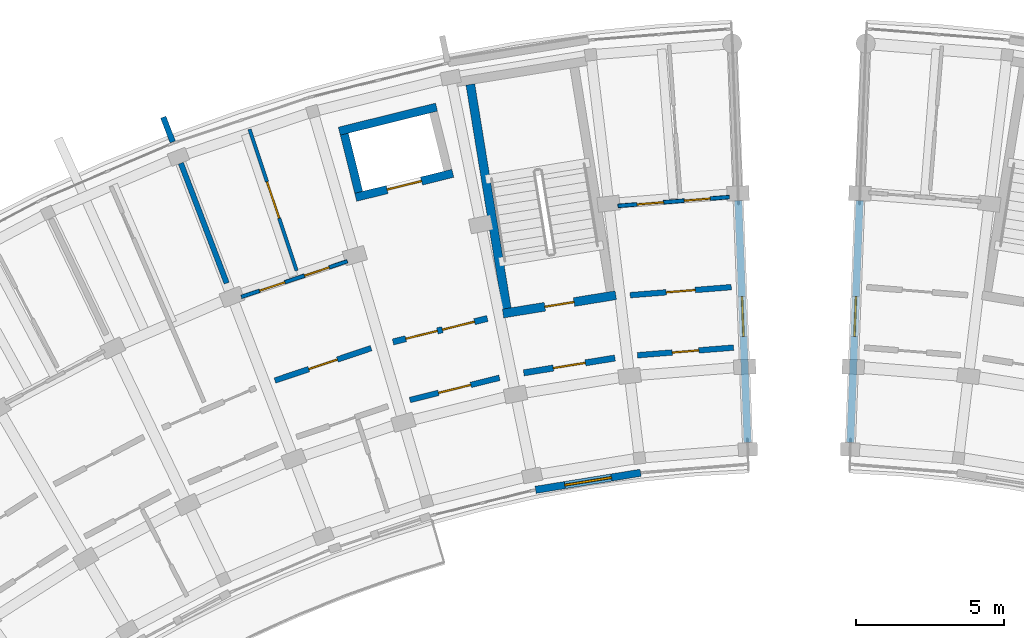
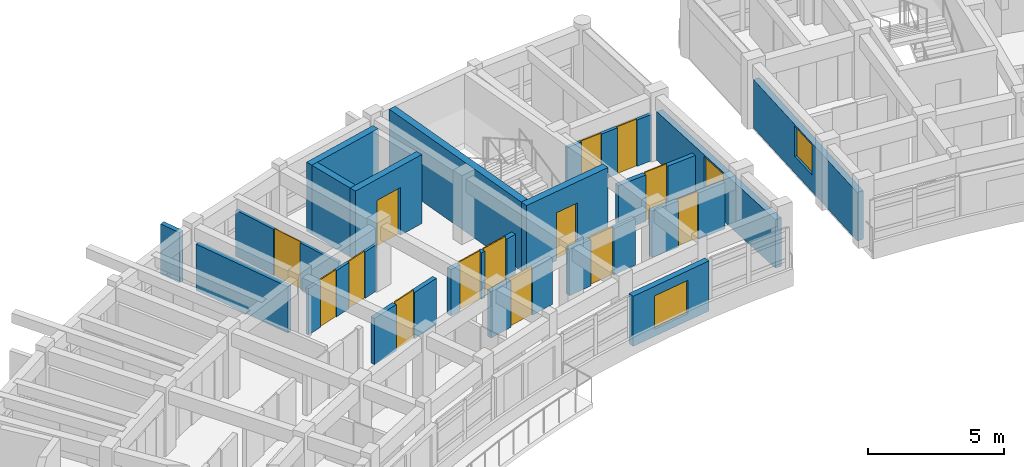
# One storey, part 29 of 54: 19 walls, 14 doors, 3 windows, 17 openings.
"""IFC4 building model written with IfcOpenShell, lengths in metres."""

from ifc_helpers import new_model, si_unit, direction, frame, frame_2d, origin, place, context, subcontext, project, spatial, rectangle, extrude, material, layer, layer_set, type_object, element, fill, save


model = new_model("IFC4")

# Units and contexts
model_context = context("Model", 3, precision=1e-05, world=origin(), true_north=direction((0.0, 1.0)))
body_context = subcontext(model_context, "Body", "Model", "MODEL_VIEW")
ifc_project = project(units=[si_unit("LENGTHUNIT", "METRE"), si_unit("AREAUNIT", "SQUARE_METRE"), si_unit("VOLUMEUNIT", "CUBIC_METRE"), si_unit("PLANEANGLEUNIT", "RADIAN"), si_unit("MASSUNIT", "GRAM", prefix="KILO")], contexts=[model_context])

# Site, building, storey
site_placement = place(None, origin())
site = spatial("IfcSite", under=ifc_project, at=site_placement, CompositionType="ELEMENT")
building_placement = place(site_placement, origin())
building = spatial("IfcBuilding", under=site, at=building_placement, Name="Zimvara Arc Housing Community", CompositionType="ELEMENT")
storey_placement = place(building_placement, frame((0.0, 0.0, 23.60009765625)))
storey = spatial("IfcBuildingStorey", under=building, at=storey_placement, Name="L07", CompositionType="ELEMENT", Elevation=23.60009765625)

# Wall, opening, window
ifc_material_1 = material(Name="Board-Marked Fair-Faced Concrete C35/45", Category="concrete")
ifc_layer_1 = layer(ifc_material_1, 0.2548828125)
ifc_layer_set_1 = layer_set([ifc_layer_1], Name="Board-Marked Fair-Faced Concrete C35/45")
wall_type_1 = type_object("IfcWallType", Name="EWL-CONC-255", PredefinedType="SOLIDWALL", material=ifc_layer_set_1)
wall_1_placement = place(storey_placement, frame((43.2587890625, 89.82666015625, 0.0), z_axis=(0.0, 0.0, 1.0), x_axis=(-0.038407966241, 0.999262141847, 0.0)))
wall_1 = element("IfcWall", 1, at=wall_1_placement, inside=storey, type_object=wall_type_1, Name="ewall:blkA:L07:gN", PredefinedType="SOLIDWALL", context=body_context, shape_type="SweptSolid", body=[
    extrude(rectangle(XDim=8.199951171875, YDim=0.2548828125, at=frame_2d((4.10009765625, 0.0))), origin(), (0.0, 0.0, 1.0), 2.179931640625),
])
opening_1_placement = place(wall_1_placement, frame((3.590087890625, 0.0, 0.75)))
opening_1 = element("IfcOpeningElement", 2, at=opening_1_placement, cuts=wall_1, Name="Opening W12", PredefinedType="OPENING", context=body_context, shape_type="SweptSolid", body=[
    extrude(rectangle(XDim=1.35009765625, YDim=1.35009765625, at=frame_2d((0.675048828125, 0.675048828125))), frame((0.0, 0.137451171875, 0.0), z_axis=(0.0, -1.0, 0.0), x_axis=(1.0, 0.0, 0.0)), (0.0, 0.0, 1.0), 0.27490234375),
])
ifc_material_2 = material(Name="Solar Control Low-E Double Glazing", Category="glass")
window_type_1 = type_object("IfcWindowType", Name="WIN-RES-1350x1350", PartitioningType="DOUBLE_PANEL_VERTICAL", PredefinedType="WINDOW", material=ifc_material_2)
window_1_placement = place(opening_1_placement, origin())
window_1 = element("IfcWindow", 3, at=window_1_placement, inside=storey, type_object=window_type_1, Name="win:blkA:L07:gN:w", OverallHeight=1.35009765625, OverallWidth=1.35009765625, PartitioningType="DOUBLE_PANEL_VERTICAL", PredefinedType="WINDOW", context=body_context, shape_type="SweptSolid", body=[
    extrude(rectangle(XDim=1.35009765625, YDim=1.35009765625, at=frame_2d((0.675048828125, 0.675048828125))), frame((0.0, 0.030029296875, 0.0), z_axis=(0.0, -1.0, 0.0), x_axis=(1.0, 0.0, 0.0)), (0.0, 0.0, 1.0), 0.06005859375),
])
fill(opening_1, window_1)

wall_2_placement = place(storey_placement, frame((46.7412109375, 89.82666015625, 0.0), z_axis=(0.0, 0.0, 1.0), x_axis=(0.038407966241, 0.999262141847, 0.0)))
wall_2 = element("IfcWall", 4, at=wall_2_placement, inside=storey, type_object=wall_type_1, Name="ewall:blkB:L07:g0", PredefinedType="SOLIDWALL", context=body_context, shape_type="SweptSolid", body=[
    extrude(rectangle(XDim=8.199951171875, YDim=0.2548828125, at=frame_2d((4.10009765625, 0.0))), origin(), (0.0, 0.0, 1.0), 2.179931640625),
])
opening_2_placement = place(wall_2_placement, frame((3.590087890625, 0.0, 0.75)))
opening_2 = element("IfcOpeningElement", 5, at=opening_2_placement, cuts=wall_2, Name="Opening W12", PredefinedType="OPENING", context=body_context, shape_type="SweptSolid", body=[
    extrude(rectangle(XDim=1.35009765625, YDim=1.35009765625, at=frame_2d((0.675048828125, 0.675048828125))), frame((0.0, 0.137451171875, 0.0), z_axis=(0.0, -1.0, 0.0), x_axis=(1.0, 0.0, 0.0)), (0.0, 0.0, 1.0), 0.27490234375),
])
window_2_placement = place(opening_2_placement, origin())
window_2 = element("IfcWindow", 6, at=window_2_placement, inside=storey, type_object=window_type_1, Name="win:blkB:L07:g0:w", OverallHeight=1.35009765625, OverallWidth=1.35009765625, PartitioningType="DOUBLE_PANEL_VERTICAL", PredefinedType="WINDOW", context=body_context, shape_type="SweptSolid", body=[
    extrude(rectangle(XDim=1.35009765625, YDim=1.35009765625, at=frame_2d((0.675048828125, 0.675048828125))), frame((0.0, 0.030029296875, 0.0), z_axis=(0.0, -1.0, 0.0), x_axis=(1.0, 0.0, 0.0)), (0.0, 0.0, 1.0), 0.06005859375),
])
fill(opening_2, window_2)

# Wall
ifc_material_3 = material(Name="Board-Marked Fair-Faced Concrete C35/45", Category="concrete")
ifc_layer_2 = layer(ifc_material_3, 0.195068359375)
ifc_layer_set_2 = layer_set([ifc_layer_2], Name="Board-Marked Fair-Faced Concrete C35/45")
wall_type_2 = type_object("IfcWallType", Name="EWL-PARA-195", PredefinedType="PARAPET", material=ifc_layer_set_2)
wall_3_placement = place(storey_placement, frame((23.783203125, 100.0029296875, 0.0), z_axis=(0.0, 0.0, 1.0), x_axis=(-0.356942580168, 0.934126326823, 0.0)))
element("IfcWall", 7, at=wall_3_placement, inside=storey, type_object=wall_type_2, Name="finwall:blkA:L07:out:b6", PredefinedType="PARAPET", context=body_context, shape_type="SweptSolid", body=[
    extrude(rectangle(XDim=0.900146484375, YDim=0.195068359375, at=frame_2d((0.4501953125, 0.0))), origin(), (0.0, 0.0, 1.0), 2.25),
])

# Wall, opening, window
ifc_material_4 = material(Name="Pigmented Fair-Faced Concrete C35/45", Category="concrete")
ifc_layer_3 = layer(ifc_material_4, 0.2451171875)
ifc_layer_set_3 = layer_set([ifc_layer_3], Name="Pigmented Fair-Faced Concrete C35/45")
wall_type_3 = type_object("IfcWallType", Name="EWL-PIGM-245", PredefinedType="SOLIDWALL", material=ifc_layer_set_3)
wall_4_placement = place(storey_placement, frame((36.078125, 88.218017578125, 0.0), z_axis=(0.0, 0.0, 1.0), x_axis=(0.987080874485, 0.160222804952, 0.0)))
wall_4 = element("IfcWall", 8, at=wall_4_placement, inside=storey, type_object=wall_type_3, Name="ewall:blkA:L07:in:b8", PredefinedType="SOLIDWALL", context=body_context, shape_type="SweptSolid", body=[
    extrude(rectangle(XDim=3.603759765625, YDim=0.2451171875, at=frame_2d((1.8017578125, 0.0))), origin(), (0.0, 0.0, 1.0), 2.25),
])
opening_3_placement = place(wall_4_placement, frame((1.001708984375, 0.0, 0.320068359375)))
opening_3 = element("IfcOpeningElement", 9, at=opening_3_placement, cuts=wall_4, Name="Opening W03", PredefinedType="OPENING", context=body_context, shape_type="SweptSolid", body=[
    extrude(rectangle(XDim=1.60009765625, YDim=1.5, at=frame_2d((0.800048828125, 0.75))), frame((0.0, 0.132568359375, 0.0), z_axis=(0.0, -1.0, 0.0), x_axis=(1.0, 0.0, 0.0)), (0.0, 0.0, 1.0), 0.26513671875),
])
ifc_material_5 = material(Name="Solar Control Low-E Double Glazing", Category="glass")
window_type_2 = type_object("IfcWindowType", Name="WIN-RES-1600x1500", PartitioningType="DOUBLE_PANEL_VERTICAL", PredefinedType="WINDOW", material=ifc_material_5)
window_3_placement = place(opening_3_placement, origin())
window_3 = element("IfcWindow", 10, at=window_3_placement, inside=storey, type_object=window_type_2, Name="win:blkA:L07:in:b8", OverallHeight=1.5, OverallWidth=1.60009765625, PartitioningType="DOUBLE_PANEL_VERTICAL", PredefinedType="WINDOW", context=body_context, shape_type="SweptSolid", body=[
    extrude(rectangle(XDim=1.60009765625, YDim=1.5, at=frame_2d((0.800048828125, 0.75))), frame((0.0, 0.030029296875, 0.0), z_axis=(0.0, -1.0, 0.0), x_axis=(1.0, 0.0, 0.0)), (0.0, 0.0, 1.0), 0.06005859375),
])
fill(opening_3, window_3)

# Wall, openings, doors
ifc_material_6 = material(Name="Concrete C35/45", Category="concrete")
ifc_layer_4 = layer(ifc_material_6, 0.2099609375)
ifc_layer_set_4 = layer_set([ifc_layer_4], Name="Concrete C35/45")
wall_type_4 = type_object("IfcWallType", Name="IWL-CCF-210", PredefinedType="SOLIDWALL", material=ifc_layer_set_4)
wall_5_placement = place(storey_placement, frame((31.242919921875, 93.22998046875, 0.0), z_axis=(0.0, 0.0, 1.0), x_axis=(0.970719238682, 0.240216901263, 0.0)))
wall_5 = element("IfcWall", 11, at=wall_5_placement, inside=storey, type_object=wall_type_4, Name="iwall:blkA:L07:ll_div:b7", PredefinedType="SOLIDWALL", context=body_context, shape_type="SweptSolid", body=[
    extrude(rectangle(XDim=3.2958984375, YDim=0.2099609375, at=frame_2d((1.64794921875, 0.0))), origin(), (0.0, 0.0, 1.0), 2.079833984375),
])
opening_4_placement = place(wall_5_placement, frame((0.449951171875, 0.0, 0.0)))
opening_4 = element("IfcOpeningElement", 12, at=opening_4_placement, cuts=wall_5, Name="Opening FD-CCF1", PredefinedType="OPENING", context=body_context, shape_type="SweptSolid", body=[
    extrude(rectangle(XDim=1.10009765625, YDim=2.14990234375, at=frame_2d((0.550048828125, 1.074951171875))), frame((0.0, 0.114990234375, 0.0), z_axis=(0.0, -1.0, 0.0), x_axis=(1.0, 0.0, 0.0)), (0.0, 0.0, 1.0), 0.22998046875),
])
opening_5_placement = place(wall_5_placement, frame((1.72607421875, 0.0, 0.0)))
opening_5 = element("IfcOpeningElement", 13, at=opening_5_placement, cuts=wall_5, Name="Opening D07", PredefinedType="OPENING", context=body_context, shape_type="SweptSolid", body=[
    extrude(rectangle(XDim=1.1201171875, YDim=2.14990234375, at=frame_2d((0.56005859375, 1.074951171875))), frame((0.0, 0.114990234375, 0.0), z_axis=(0.0, -1.0, 0.0), x_axis=(1.0, 0.0, 0.0)), (0.0, 0.0, 1.0), 0.22998046875),
])
ifc_material_7 = material(Name="Mozambican Hardwood", Category="wood")
door_type_1 = type_object("IfcDoorType", Name="IDR-AMN-1120x2150", OperationType="NOTDEFINED", PredefinedType="DOOR", material=ifc_material_7)
door_1_placement = place(opening_5_placement, origin())
door_1 = element("IfcDoor", 14, at=door_1_placement, inside=storey, type_object=door_type_1, Name="idoor:blkA:L07:rs_in:b7", OperationType="SINGLE_SWING_RIGHT", OverallHeight=2.14990234375, OverallWidth=1.1201171875, PredefinedType="DOOR", context=body_context, shape_type="SweptSolid", body=[
    extrude(rectangle(XDim=1.1201171875, YDim=2.14990234375, at=frame_2d((0.56005859375, 1.074951171875))), frame((0.0, 0.02490234375, 0.0), z_axis=(0.0, -1.0, 0.0), x_axis=(1.0, 0.0, 0.0)), (0.0, 0.0, 1.0), 0.050048828125),
])
fill(opening_5, door_1)
ifc_material_8 = material(Name="Anodised Aluminium AW-6063", Category="aluminium")
door_type_2 = type_object("IfcDoorType", Name="IDR-CCF-1100x2150", OperationType="NOTDEFINED", PredefinedType="DOOR", material=ifc_material_8)
door_2_placement = place(opening_4_placement, origin())
door_2 = element("IfcDoor", 15, at=door_2_placement, inside=storey, type_object=door_type_2, Name="idoor:blkA:L07:ll_in:b7", OperationType="SINGLE_SWING_LEFT", OverallHeight=2.14990234375, OverallWidth=1.10009765625, PredefinedType="DOOR", context=body_context, shape_type="SweptSolid", body=[
    extrude(rectangle(XDim=1.10009765625, YDim=2.14990234375, at=frame_2d((0.550048828125, 1.074951171875))), frame((0.0, 0.02490234375, 0.0), z_axis=(0.0, -1.0, 0.0), x_axis=(1.0, 0.0, 0.0)), (0.0, 0.0, 1.0), 0.050048828125),
])
fill(opening_4, door_2)

# Wall, opening, door
wall_6_placement = place(storey_placement, frame((35.675537109375, 92.181396484375, 0.0), z_axis=(0.0, 0.0, 1.0), x_axis=(0.98707079686, 0.160284877599, 0.0)))
wall_6 = element("IfcWall", 16, at=wall_6_placement, inside=storey, type_object=wall_type_4, Name="iwall:blkA:L07:ccf_div:b8", PredefinedType="SOLIDWALL", context=body_context, shape_type="SweptSolid", body=[
    extrude(rectangle(XDim=3.128662109375, YDim=0.2099609375, at=frame_2d((1.564453125, 0.0))), origin(), (0.0, 0.0, 1.0), 2.079833984375),
])
opening_6_placement = place(wall_6_placement, frame((1.014404296875, 0.0, 0.0)))
opening_6 = element("IfcOpeningElement", 17, at=opening_6_placement, cuts=wall_6, Name="Opening FD-CCF1", PredefinedType="OPENING", context=body_context, shape_type="SweptSolid", body=[
    extrude(rectangle(XDim=1.10009765625, YDim=2.14990234375, at=frame_2d((0.550048828125, 1.074951171875))), frame((0.0, 0.114990234375, 0.0), z_axis=(0.0, -1.0, 0.0), x_axis=(1.0, 0.0, 0.0)), (0.0, 0.0, 1.0), 0.22998046875),
])
door_3_placement = place(opening_6_placement, origin())
door_3 = element("IfcDoor", 18, at=door_3_placement, inside=storey, type_object=door_type_2, Name="idoor:blkA:L07:ccf_in:b8", OperationType="SINGLE_SWING_RIGHT", OverallHeight=2.14990234375, OverallWidth=1.10009765625, PredefinedType="DOOR", context=body_context, shape_type="SweptSolid", body=[
    extrude(rectangle(XDim=1.10009765625, YDim=2.14990234375, at=frame_2d((0.550048828125, 1.074951171875))), frame((0.0, 0.02490234375, 0.0), z_axis=(0.0, -1.0, 0.0), x_axis=(1.0, 0.0, 0.0)), (0.0, 0.0, 1.0), 0.050048828125),
])
fill(opening_6, door_3)

ifc_material_9 = material(Name="Concrete C35/45", Category="concrete")
ifc_layer_5 = layer(ifc_material_9, 0.18994140625)
ifc_layer_set_5 = layer_set([ifc_layer_5], Name="Concrete C35/45")
wall_type_5 = type_object("IfcWallType", Name="IWL-CORR-190", PredefinedType="SOLIDWALL", material=ifc_layer_set_5)
wall_7_placement = place(storey_placement, frame((27.24658203125, 91.922607421875, 0.0), z_axis=(0.0, 0.0, 1.0), x_axis=(0.947863007629, 0.318678080151, 0.0)))
wall_7 = element("IfcWall", 19, at=wall_7_placement, inside=storey, type_object=wall_type_5, Name="iwall:blkA:L07:corr_out:b6", PredefinedType="SOLIDWALL", context=body_context, shape_type="SweptSolid", body=[
    extrude(rectangle(XDim=3.43603515625, YDim=0.18994140625, at=frame_2d((1.718017578125, 0.0))), origin(), (0.0, 0.0, 1.0), 2.079833984375),
])
opening_7_placement = place(wall_7_placement, frame((1.2080078125, 0.0, 0.0)))
opening_7 = element("IfcOpeningElement", 20, at=opening_7_placement, cuts=wall_7, Name="Opening FD-FL2", PredefinedType="OPENING", context=body_context, shape_type="SweptSolid", body=[
    extrude(rectangle(XDim=1.02001953125, YDim=2.14990234375, at=frame_2d((0.510009765625, 1.074951171875))), frame((0.0, 0.10498046875, 0.0), z_axis=(0.0, -1.0, 0.0), x_axis=(1.0, 0.0, 0.0)), (0.0, 0.0, 1.0), 0.2099609375),
])
ifc_material_10 = material(Name="Mozambican Hardwood", Category="wood")
door_type_3 = type_object("IfcDoorType", Name="IDR-FLAT-1020x2150", OperationType="NOTDEFINED", PredefinedType="DOOR", material=ifc_material_10)
door_4_placement = place(opening_7_placement, origin())
door_4 = element("IfcDoor", 21, at=door_4_placement, inside=storey, type_object=door_type_3, Name="idoor:blkA:L07:flat:b6", OperationType="SINGLE_SWING_LEFT", OverallHeight=2.14990234375, OverallWidth=1.02001953125, PredefinedType="DOOR", context=body_context, shape_type="SweptSolid", body=[
    extrude(rectangle(XDim=1.02001953125, YDim=2.14990234375, at=frame_2d((0.510009765625, 1.074951171875))), frame((0.0, 0.02490234375, 0.0), z_axis=(0.0, -1.0, 0.0), x_axis=(1.0, 0.0, 0.0)), (0.0, 0.0, 1.0), 0.050048828125),
])
fill(opening_7, door_4)

wall_8_placement = place(storey_placement, frame((31.816162109375, 91.26171875, 0.0), z_axis=(0.0, 0.0, 1.0), x_axis=(0.970727194092, 0.240184751078, 0.0)))
wall_8 = element("IfcWall", 22, at=wall_8_placement, inside=storey, type_object=wall_type_5, Name="iwall:blkA:L07:ra_div:b7", PredefinedType="SOLIDWALL", context=body_context, shape_type="SweptSolid", body=[
    extrude(rectangle(XDim=3.128662109375, YDim=0.18994140625, at=frame_2d((1.564453125, 0.0))), origin(), (0.0, 0.0, 1.0), 2.079833984375),
])
opening_8_placement = place(wall_8_placement, frame((1.00439453125, 0.0, 0.0)))
opening_8 = element("IfcOpeningElement", 23, at=opening_8_placement, cuts=wall_8, Name="Opening D07", PredefinedType="OPENING", context=body_context, shape_type="SweptSolid", body=[
    extrude(rectangle(XDim=1.1201171875, YDim=2.14990234375, at=frame_2d((0.56005859375, 1.074951171875))), frame((0.0, 0.10498046875, 0.0), z_axis=(0.0, -1.0, 0.0), x_axis=(1.0, 0.0, 0.0)), (0.0, 0.0, 1.0), 0.2099609375),
])
door_5_placement = place(opening_8_placement, origin())
door_5 = element("IfcDoor", 24, at=door_5_placement, inside=storey, type_object=door_type_1, Name="idoor:blkA:L07:ra_d:b7", OperationType="SINGLE_SWING_LEFT", OverallHeight=2.14990234375, OverallWidth=1.1201171875, PredefinedType="DOOR", context=body_context, shape_type="SweptSolid", body=[
    extrude(rectangle(XDim=1.1201171875, YDim=2.14990234375, at=frame_2d((0.56005859375, 1.074951171875))), frame((0.0, 0.02490234375, 0.0), z_axis=(0.0, -1.0, 0.0), x_axis=(1.0, 0.0, 0.0)), (0.0, 0.0, 1.0), 0.050048828125),
])
fill(opening_8, door_5)

wall_9_placement = place(storey_placement, frame((39.281494140625, 94.81298828125, 0.0), z_axis=(0.0, 0.0, 1.0), x_axis=(0.996862545573, 0.079152165058, 0.0)))
wall_9 = element("IfcWall", 25, at=wall_9_placement, inside=storey, type_object=wall_type_5, Name="iwall:blkA:L07:corr_out:b9", PredefinedType="SOLIDWALL", context=body_context, shape_type="SweptSolid", body=[
    extrude(rectangle(XDim=3.43603515625, YDim=0.18994140625, at=frame_2d((1.718017578125, 0.0))), origin(), (0.0, 0.0, 1.0), 2.079833984375),
])
opening_9_placement = place(wall_9_placement, frame((1.22802734375, 0.0, 0.0)))
opening_9 = element("IfcOpeningElement", 26, at=opening_9_placement, cuts=wall_9, Name="Opening FD-FL1", PredefinedType="OPENING", context=body_context, shape_type="SweptSolid", body=[
    extrude(rectangle(XDim=0.97998046875, YDim=2.14990234375, at=frame_2d((0.489990234375, 1.074951171875))), frame((0.0, 0.10498046875, 0.0), z_axis=(0.0, -1.0, 0.0), x_axis=(1.0, 0.0, 0.0)), (0.0, 0.0, 1.0), 0.2099609375),
])
ifc_material_11 = material(Name="Mozambican Hardwood", Category="wood")
door_type_4 = type_object("IfcDoorType", Name="IDR-FLAT-0980x2150", OperationType="NOTDEFINED", PredefinedType="DOOR", material=ifc_material_11)
door_6_placement = place(opening_9_placement, origin())
door_6 = element("IfcDoor", 27, at=door_6_placement, inside=storey, type_object=door_type_4, Name="idoor:blkA:L07:flat:b9", OperationType="SINGLE_SWING_LEFT", OverallHeight=2.14990234375, OverallWidth=0.97998046875, PredefinedType="DOOR", context=body_context, shape_type="SweptSolid", body=[
    extrude(rectangle(XDim=0.97998046875, YDim=2.14990234375, at=frame_2d((0.489990234375, 1.074951171875))), frame((0.0, 0.02490234375, 0.0), z_axis=(0.0, -1.0, 0.0), x_axis=(1.0, 0.0, 0.0)), (0.0, 0.0, 1.0), 0.050048828125),
])
fill(opening_9, door_6)

wall_10_placement = place(storey_placement, frame((39.527099609375, 92.77783203125, 0.0), z_axis=(0.0, 0.0, 1.0), x_axis=(0.99686660806, 0.07910098441, 0.0)))
wall_10 = element("IfcWall", 28, at=wall_10_placement, inside=storey, type_object=wall_type_5, Name="iwall:blkA:L07:corr_in:b9", PredefinedType="SOLIDWALL", context=body_context, shape_type="SweptSolid", body=[
    extrude(rectangle(XDim=3.2685546875, YDim=0.18994140625, at=frame_2d((1.63427734375, 0.0))), origin(), (0.0, 0.0, 1.0), 2.079833984375),
])
opening_10_placement = place(wall_10_placement, frame((1.184326171875, 0.0, 0.0)))
opening_10 = element("IfcOpeningElement", 29, at=opening_10_placement, cuts=wall_10, Name="Opening D01", PredefinedType="OPENING", context=body_context, shape_type="SweptSolid", body=[
    extrude(rectangle(XDim=0.89990234375, YDim=2.10009765625, at=frame_2d((0.449951171875, 1.050048828125))), frame((0.0, 0.10498046875, 0.0), z_axis=(0.0, -1.0, 0.0), x_axis=(1.0, 0.0, 0.0)), (0.0, 0.0, 1.0), 0.2099609375),
])
ifc_material_12 = material(Name="Mozambican Hardwood", Category="wood")
door_type_5 = type_object("IfcDoorType", Name="IDR-RM-0900x2100", OperationType="NOTDEFINED", PredefinedType="DOOR", material=ifc_material_12)
door_7_placement = place(opening_10_placement, origin())
door_7 = element("IfcDoor", 30, at=door_7_placement, inside=storey, type_object=door_type_5, Name="idoor:blkA:L07:in_rm:b9", OperationType="SINGLE_SWING_RIGHT", OverallHeight=2.10009765625, OverallWidth=0.89990234375, PredefinedType="DOOR", context=body_context, shape_type="SweptSolid", body=[
    extrude(rectangle(XDim=0.89990234375, YDim=2.10009765625, at=frame_2d((0.449951171875, 1.050048828125))), frame((0.0, 0.02490234375, 0.0), z_axis=(0.0, -1.0, 0.0), x_axis=(1.0, 0.0, 0.0)), (0.0, 0.0, 1.0), 0.050048828125),
])
fill(opening_10, door_7)

# Wall
ifc_material_13 = material(Name="Concrete C35/45", Category="concrete")
ifc_layer_6 = layer(ifc_material_13, 0.18505859375)
ifc_layer_set_6 = layer_set([ifc_layer_6], Name="Concrete C35/45")
wall_type_6 = type_object("IfcWallType", Name="IWL-FLAT-185", PredefinedType="SOLIDWALL", material=ifc_layer_set_6)
wall_11_placement = place(storey_placement, frame((25.611328125, 95.220458984375, 0.0), z_axis=(0.0, 0.0, 1.0), x_axis=(-0.357064016205, 0.934079915388, 0.0)))
element("IfcWall", 31, at=wall_11_placement, inside=storey, type_object=wall_type_6, Name="iwall:blkA:L07:party:b6", PredefinedType="SOLIDWALL", context=body_context, shape_type="SweptSolid", body=[
    extrude(rectangle(XDim=4.35009765625, YDim=0.18505859375, at=frame_2d((2.175048828125, 0.0))), origin(), (0.0, 0.0, 1.0), 2.079833984375),
])

# Wall, openings, doors
ifc_material_14 = material(Name="Painted Acoustic Plasterboard")
ifc_layer_7 = layer(ifc_material_14, 0.1201171875)
ifc_layer_set_7 = layer_set([ifc_layer_7], Name="Painted Acoustic Plasterboard")
wall_type_7 = type_object("IfcWallType", Name="IWL-PART-120", PredefinedType="PARTITIONING", material=ifc_layer_set_7)
wall_12_placement = place(storey_placement, frame((26.110107421875, 94.755615234375, 0.0), z_axis=(0.0, 0.0, 1.0), x_axis=(0.947873924847, 0.318645606584, 0.0)))
wall_12 = element("IfcWall", 32, at=wall_12_placement, inside=storey, type_object=wall_type_7, Name="iwall:blkA:L07:srv:b6", PredefinedType="PARTITIONING", context=body_context, shape_type="SweptSolid", body=[
    extrude(rectangle(XDim=3.784912109375, YDim=0.1201171875, at=frame_2d((1.892578125, 0.0))), origin(), (0.0, 0.0, 1.0), 2.079833984375),
])
opening_11_placement = place(wall_12_placement, frame((0.64990234375, 0.0, 0.0)))
opening_11 = element("IfcOpeningElement", 33, at=opening_11_placement, cuts=wall_12, Name="Opening D01", PredefinedType="OPENING", context=body_context, shape_type="SweptSolid", body=[
    extrude(rectangle(XDim=0.89990234375, YDim=2.10009765625, at=frame_2d((0.449951171875, 1.050048828125))), frame((0.0, 0.070068359375, 0.0), z_axis=(0.0, -1.0, 0.0), x_axis=(1.0, 0.0, 0.0)), (0.0, 0.0, 1.0), 0.14013671875),
])
opening_12_placement = place(wall_12_placement, frame((2.255126953125, 0.0, 0.0)))
opening_12 = element("IfcOpeningElement", 34, at=opening_12_placement, cuts=wall_12, Name="Opening D05", PredefinedType="OPENING", context=body_context, shape_type="SweptSolid", body=[
    extrude(rectangle(XDim=0.8798828125, YDim=2.10009765625, at=frame_2d((0.43994140625, 1.050048828125))), frame((0.0, 0.070068359375, 0.0), z_axis=(0.0, -1.0, 0.0), x_axis=(1.0, 0.0, 0.0)), (0.0, 0.0, 1.0), 0.14013671875),
])
door_8_placement = place(opening_11_placement, origin())
door_8 = element("IfcDoor", 35, at=door_8_placement, inside=storey, type_object=door_type_5, Name="idoor:blkA:L07:kit_liv:b6", OperationType="SINGLE_SWING_RIGHT", OverallHeight=2.10009765625, OverallWidth=0.89990234375, PredefinedType="DOOR", context=body_context, shape_type="SweptSolid", body=[
    extrude(rectangle(XDim=0.89990234375, YDim=2.10009765625, at=frame_2d((0.449951171875, 1.050048828125))), frame((0.0, 0.02490234375, 0.0), z_axis=(0.0, -1.0, 0.0), x_axis=(1.0, 0.0, 0.0)), (0.0, 0.0, 1.0), 0.050048828125),
])
fill(opening_11, door_8)
ifc_material_15 = material(Name="Mozambican Hardwood", Category="wood")
door_type_6 = type_object("IfcDoorType", Name="IDR-WC-0880x2100", OperationType="NOTDEFINED", PredefinedType="DOOR", material=ifc_material_15)
door_9_placement = place(opening_12_placement, origin())
door_9 = element("IfcDoor", 36, at=door_9_placement, inside=storey, type_object=door_type_6, Name="idoor:blkA:L07:bath_d:b6", OperationType="SINGLE_SWING_LEFT", OverallHeight=2.10009765625, OverallWidth=0.8798828125, PredefinedType="DOOR", context=body_context, shape_type="SweptSolid", body=[
    extrude(rectangle(XDim=0.8798828125, YDim=2.10009765625, at=frame_2d((0.43994140625, 1.050048828125))), frame((0.0, 0.02490234375, 0.0), z_axis=(0.0, -1.0, 0.0), x_axis=(1.0, 0.0, 0.0)), (0.0, 0.0, 1.0), 0.050048828125),
])
fill(opening_12, door_9)

# Wall, opening, door
wall_13_placement = place(storey_placement, frame((27.97998046875, 95.642333984375, 0.0), z_axis=(0.0, 0.0, 1.0), x_axis=(-0.315749098291, 0.948842719806, 0.0)))
wall_13 = element("IfcWall", 37, at=wall_13_placement, inside=storey, type_object=wall_type_7, Name="iwall:blkA:L07:bed_div:b6", PredefinedType="PARTITIONING", context=body_context, shape_type="SweptSolid", body=[
    extrude(rectangle(XDim=5.0498046875, YDim=0.1201171875, at=frame_2d((2.52490234375, 0.0))), origin(), (0.0, 0.0, 1.0), 2.079833984375),
])
opening_13_placement = place(wall_13_placement, frame((1.875, 0.0, 0.0)))
opening_13 = element("IfcOpeningElement", 38, at=opening_13_placement, cuts=wall_13, Name="Opening D20", PredefinedType="OPENING", context=body_context, shape_type="SweptSolid", body=[
    extrude(rectangle(XDim=1.300048828125, YDim=2.10009765625, at=frame_2d((0.64990234375, 1.050048828125))), frame((0.0, 0.070068359375, 0.0), z_axis=(0.0, -1.0, 0.0), x_axis=(1.0, 0.0, 0.0)), (0.0, 0.0, 1.0), 0.14013671875),
])
ifc_material_16 = material(Name="Mozambican Hardwood", Category="wood")
door_type_7 = type_object("IfcDoorType", Name="IDR-MOD-1300x2240", OperationType="NOTDEFINED", PredefinedType="DOOR", material=ifc_material_16)
door_10_placement = place(opening_13_placement, origin())
door_10 = element("IfcDoor", 39, at=door_10_placement, inside=storey, type_object=door_type_7, Name="idoor:blkA:L07:bed_d:b6", OperationType="SINGLE_SWING_RIGHT", OverallHeight=2.10009765625, OverallWidth=1.300048828125, PredefinedType="DOOR", context=body_context, shape_type="SweptSolid", body=[
    extrude(rectangle(XDim=1.300048828125, YDim=2.10009765625, at=frame_2d((0.64990234375, 1.050048828125))), frame((0.0, 0.02490234375, 0.0), z_axis=(0.0, -1.0, 0.0), x_axis=(1.0, 0.0, 0.0)), (0.0, 0.0, 1.0), 0.050048828125),
])
fill(opening_13, door_10)

# Wall, openings, doors
ifc_material_17 = material(Name="Painted Acoustic Plasterboard")
ifc_layer_8 = layer(ifc_material_17, 0.125)
ifc_layer_set_8 = layer_set([ifc_layer_8], Name="Painted Acoustic Plasterboard")
wall_type_8 = type_object("IfcWallType", Name="IWL-PART-125", PredefinedType="PARTITIONING", material=ifc_layer_set_8)
wall_14_placement = place(storey_placement, frame((38.8662109375, 97.837158203125, 0.0), z_axis=(0.0, 0.0, 1.0), x_axis=(0.996863292793, 0.079142753818, 0.0)))
wall_14 = element("IfcWall", 40, at=wall_14_placement, inside=storey, type_object=wall_type_8, Name="iwall:blkA:L07:srv:b9", PredefinedType="PARTITIONING", context=body_context, shape_type="SweptSolid", body=[
    extrude(rectangle(XDim=3.78515625, YDim=0.125, at=frame_2d((1.892578125, 0.0))), origin(), (0.0, 0.0, 1.0), 2.079833984375),
])
opening_14_placement = place(wall_14_placement, frame((0.64990234375, 0.0, 0.0)))
opening_14 = element("IfcOpeningElement", 41, at=opening_14_placement, cuts=wall_14, Name="Opening D01", PredefinedType="OPENING", context=body_context, shape_type="SweptSolid", body=[
    extrude(rectangle(XDim=0.89990234375, YDim=2.10009765625, at=frame_2d((0.449951171875, 1.050048828125))), frame((0.0, 0.072509765625, 0.0), z_axis=(0.0, -1.0, 0.0), x_axis=(1.0, 0.0, 0.0)), (0.0, 0.0, 1.0), 0.14501953125),
])
opening_15_placement = place(wall_14_placement, frame((2.255126953125, 0.0, 0.0)))
opening_15 = element("IfcOpeningElement", 42, at=opening_15_placement, cuts=wall_14, Name="Opening D05", PredefinedType="OPENING", context=body_context, shape_type="SweptSolid", body=[
    extrude(rectangle(XDim=0.8798828125, YDim=2.10009765625, at=frame_2d((0.43994140625, 1.050048828125))), frame((0.0, 0.072509765625, 0.0), z_axis=(0.0, -1.0, 0.0), x_axis=(1.0, 0.0, 0.0)), (0.0, 0.0, 1.0), 0.14501953125),
])
door_11_placement = place(opening_14_placement, origin())
door_11 = element("IfcDoor", 43, at=door_11_placement, inside=storey, type_object=door_type_5, Name="idoor:blkA:L07:kit_liv:b9", OperationType="SINGLE_SWING_LEFT", OverallHeight=2.10009765625, OverallWidth=0.89990234375, PredefinedType="DOOR", context=body_context, shape_type="SweptSolid", body=[
    extrude(rectangle(XDim=0.89990234375, YDim=2.10009765625, at=frame_2d((0.449951171875, 1.050048828125))), frame((0.0, 0.02490234375, 0.0), z_axis=(0.0, -1.0, 0.0), x_axis=(1.0, 0.0, 0.0)), (0.0, 0.0, 1.0), 0.050048828125),
])
fill(opening_14, door_11)
door_12_placement = place(opening_15_placement, origin())
door_12 = element("IfcDoor", 44, at=door_12_placement, inside=storey, type_object=door_type_6, Name="idoor:blkA:L07:bath_d:b9", OperationType="SINGLE_SWING_RIGHT", OverallHeight=2.10009765625, OverallWidth=0.8798828125, PredefinedType="DOOR", context=body_context, shape_type="SweptSolid", body=[
    extrude(rectangle(XDim=0.8798828125, YDim=2.10009765625, at=frame_2d((0.43994140625, 1.050048828125))), frame((0.0, 0.02490234375, 0.0), z_axis=(0.0, -1.0, 0.0), x_axis=(1.0, 0.0, 0.0)), (0.0, 0.0, 1.0), 0.050048828125),
])
fill(opening_15, door_12)

# Wall, opening, door
ifc_material_18 = material(Name="Concrete C40/50", Category="concrete")
ifc_layer_9 = layer(ifc_material_18, 0.280029296875)
ifc_layer_set_9 = layer_set([ifc_layer_9], Name="Concrete C40/50")
wall_type_9 = type_object("IfcWallType", Name="WL-CORE-280", PredefinedType="SHEAR", material=ifc_layer_set_9)
wall_15_placement = place(storey_placement, frame((33.27294921875, 98.942138671875, 0.0), z_axis=(0.0, 0.0, 1.0), x_axis=(-0.970707542441, -0.240264160972, 0.0)))
wall_15 = element("IfcWall", 45, at=wall_15_placement, inside=storey, type_object=wall_type_9, Name="lwall:LF-A2:L07:front", PredefinedType="SHEAR", context=body_context, shape_type="SweptSolid", body=[
    extrude(rectangle(XDim=3.389892578125, YDim=0.280029296875, at=frame_2d((1.69482421875, 0.0))), origin(), (0.0, 0.0, 1.0), 3.099853515625),
])
opening_16_placement = place(wall_15_placement, frame((1.094970703125, 0.0, 0.0)))
opening_16 = element("IfcOpeningElement", 46, at=opening_16_placement, cuts=wall_15, Name="Opening LD-LF-A2", PredefinedType="OPENING", context=body_context, shape_type="SweptSolid", body=[
    extrude(rectangle(XDim=1.199951171875, YDim=2.14990234375, at=frame_2d((0.60009765625, 1.074951171875))), frame((0.0, 0.14990234375, 0.0), z_axis=(0.0, -1.0, 0.0), x_axis=(1.0, 0.0, 0.0)), (0.0, 0.0, 1.0), 0.300048828125),
])
ifc_material_19 = material(Name="Anodised Aluminium AW-6063", Category="aluminium")
door_type_8 = type_object("IfcDoorType", Name="IDR-LD-1200x2150", OperationType="DOUBLE_DOOR_SLIDING", PredefinedType="DOOR", material=ifc_material_19)
door_13_placement = place(opening_16_placement, origin())
door_13 = element("IfcDoor", 47, at=door_13_placement, inside=storey, type_object=door_type_8, Name="Lift LF-A2 Sliding Landing Door L07", OperationType="DOUBLE_DOOR_SLIDING", OverallHeight=2.14990234375, OverallWidth=1.199951171875, PredefinedType="DOOR", context=body_context, shape_type="SweptSolid", body=[
    extrude(rectangle(XDim=1.199951171875, YDim=2.14990234375, at=frame_2d((0.60009765625, 1.074951171875))), frame((0.0, 0.02490234375, 0.0), z_axis=(0.0, -1.0, 0.0), x_axis=(1.0, 0.0, 0.0)), (0.0, 0.0, 1.0), 0.050048828125),
])
fill(opening_16, door_13)

# Walls
wall_16_placement = place(storey_placement, frame((32.71826171875, 101.1845703125, 0.0), z_axis=(0.0, 0.0, 1.0), x_axis=(-0.970711699588, -0.240247364777, 0.0)))
element("IfcWall", 48, at=wall_16_placement, inside=storey, type_object=wall_type_9, Name="lwall:LF-A2:L07:back", PredefinedType="SHEAR", context=body_context, shape_type="SweptSolid", body=[
    extrude(rectangle(XDim=3.39013671875, YDim=0.280029296875, at=frame_2d((1.695068359375, 0.0))), origin(), (0.0, 0.0, 1.0), 3.099853515625),
])
wall_17_placement = place(storey_placement, frame((30.084716796875, 98.29736328125, 0.0), z_axis=(0.0, 0.0, 1.0), x_axis=(-0.2402993748, 0.970698825832, 0.0)))
element("IfcWall", 49, at=wall_17_placement, inside=storey, type_object=wall_type_9, Name="lwall:LF-A2:L07:right", PredefinedType="SHEAR", context=body_context, shape_type="SweptSolid", body=[
    extrude(rectangle(XDim=2.030029296875, YDim=0.280029296875, at=frame_2d((1.01513671875, 0.0))), origin(), (0.0, 0.0, 1.0), 3.099853515625),
])

# Wall, opening, door
ifc_material_20 = material(Name="Concrete C40/50", Category="concrete")
ifc_layer_10 = layer(ifc_material_20, 0.300048828125)
ifc_layer_set_10 = layer_set([ifc_layer_10], Name="Concrete C40/50")
wall_type_10 = type_object("IfcWallType", Name="WL-CORE-300", PredefinedType="SHEAR", material=ifc_layer_set_10)
wall_18_placement = place(storey_placement, frame((38.793701171875, 94.810546875, 0.0), z_axis=(0.0, 0.0, 1.0), x_axis=(-0.987077443397, -0.160243941341, 0.0)))
wall_18 = element("IfcWall", 50, at=wall_18_placement, inside=storey, type_object=wall_type_10, Name="cwall:ST-A2:L07:near", PredefinedType="SHEAR", context=body_context, shape_type="SweptSolid", body=[
    extrude(rectangle(XDim=3.869873046875, YDim=0.300048828125, at=frame_2d((1.93505859375, 0.0))), origin(), (0.0, 0.0, 1.0), 3.099853515625),
])
opening_17_placement = place(wall_18_placement, frame((1.43505859375, 0.0, 0.0)))
opening_17 = element("IfcOpeningElement", 51, at=opening_17_placement, cuts=wall_18, Name="Opening FD-ST1", PredefinedType="OPENING", context=body_context, shape_type="SweptSolid", body=[
    extrude(rectangle(XDim=1.0, YDim=2.14990234375, at=frame_2d((0.5, 1.074951171875))), frame((0.0, 0.159912109375, 0.0), z_axis=(0.0, -1.0, 0.0), x_axis=(1.0, 0.0, 0.0)), (0.0, 0.0, 1.0), 0.320068359375),
])
ifc_material_21 = material(Name="Anodised Aluminium AW-6063", Category="aluminium")
door_type_9 = type_object("IfcDoorType", Name="IDR-ST-1000x2150", OperationType="NOTDEFINED", PredefinedType="DOOR", material=ifc_material_21)
door_14_placement = place(opening_17_placement, origin())
door_14 = element("IfcDoor", 52, at=door_14_placement, inside=storey, type_object=door_type_9, Name="idoor:ST-A2:L07:entry", OperationType="SINGLE_SWING_LEFT", OverallHeight=2.14990234375, OverallWidth=1.0, PredefinedType="DOOR", context=body_context, shape_type="SweptSolid", body=[
    extrude(rectangle(XDim=1.0, YDim=2.14990234375, at=frame_2d((0.5, 1.074951171875))), frame((0.0, 0.02490234375, 0.0), z_axis=(0.0, -1.0, 0.0), x_axis=(1.0, 0.0, 0.0)), (0.0, 0.0, 1.0), 0.050048828125),
])
fill(opening_17, door_14)

# Wall
wall_19_placement = place(storey_placement, frame((35.097900390625, 94.362548828125, 0.0), z_axis=(0.0, 0.0, 1.0), x_axis=(-0.160227496777, 0.987080112897, 0.0)))
element("IfcWall", 53, at=wall_19_placement, inside=storey, type_object=wall_type_10, Name="cwall:ST-A2:L07:right", PredefinedType="SHEAR", context=body_context, shape_type="SweptSolid", body=[
    extrude(rectangle(XDim=7.690185546875, YDim=0.300048828125, at=frame_2d((3.84521484375, 0.0))), origin(), (0.0, 0.0, 1.0), 3.099853515625),
])

save(model, "model.ifc")
